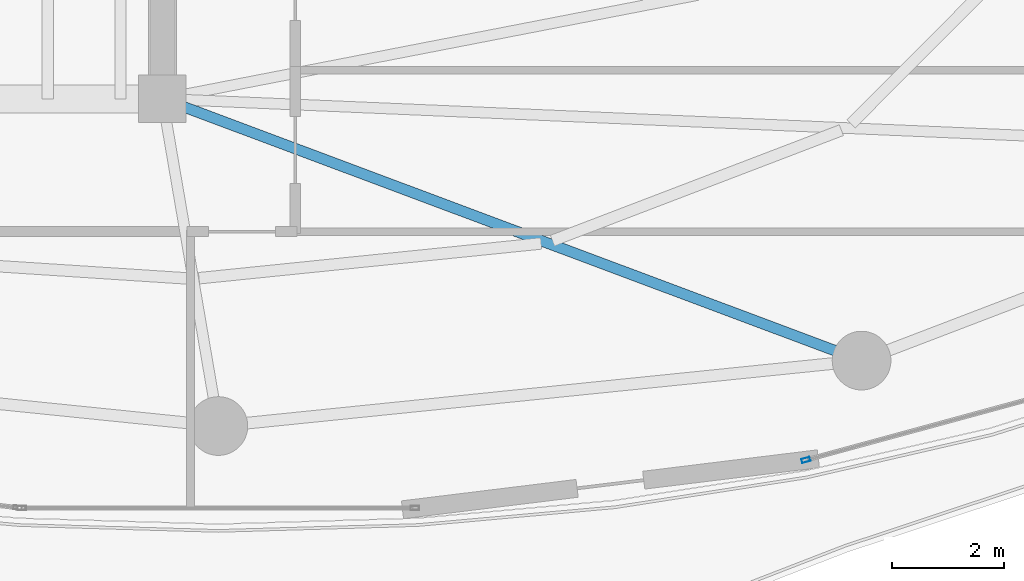
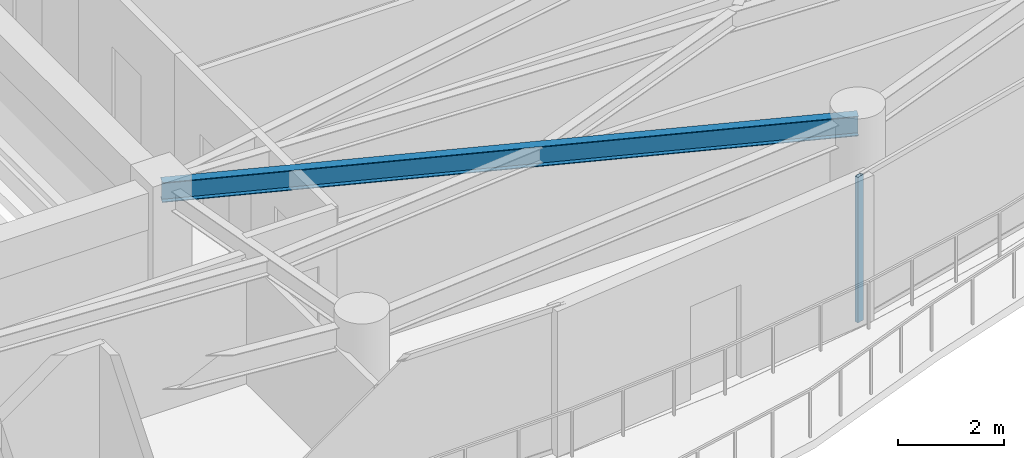
# One storey, part 11 of 31: 1 beam, 1 member, 1 element without a shape of its own.
"""IFC4 building model written with IfcOpenShell, lengths in metres."""

from ifc_helpers import new_model, si_unit, direction, frame, origin, origin_2d, place, context, subcontext, project, spatial, hollow_rectangle, i_section, extrude, material, layer, layer_set, material_profile, profile_set, type_object, element, aggregate, save


model = new_model("IFC4")

# Units and contexts
model_context = context("Model", 3, precision=1e-05, world=origin(), true_north=direction((0.0, 1.0)))
body_context = subcontext(model_context, "Body", "Model", "MODEL_VIEW")
ifc_project = project(units=[si_unit("LENGTHUNIT", "METRE"), si_unit("AREAUNIT", "SQUARE_METRE"), si_unit("VOLUMEUNIT", "CUBIC_METRE"), si_unit("PLANEANGLEUNIT", "RADIAN"), si_unit("MASSUNIT", "GRAM", prefix="KILO")], contexts=[model_context])

# Site, building, storey
site_placement = place(None, origin())
site = spatial("IfcSite", under=ifc_project, at=site_placement, CompositionType="ELEMENT")
building_placement = place(site_placement, origin())
building = spatial("IfcBuilding", under=site, at=building_placement, Name="Kazevale Care Tower and Concert Hall", CompositionType="ELEMENT")
storey_placement = place(building_placement, frame((0.0, 0.0, 238.800048828125)))
storey = spatial("IfcBuildingStorey", under=building, at=storey_placement, Name="L63", CompositionType="ELEMENT", Elevation=238.800048828125)

# Curtain wall, member
ifc_material_1 = material(Name="Aluminium 6063-T6 and Low-E Glass", Category="aluminium")
ifc_layer = layer(ifc_material_1, 0.179931640625)
ifc_layer_set = layer_set([ifc_layer], Name="Aluminium 6063-T6 and Low-E Glass")
curtain_wall_type = type_object("IfcCurtainWallType", Name="Sheltered Concave Balcony Curtain Wall CW-5", PredefinedType="NOTDEFINED", material=ifc_layer_set)
curtain_wall_placement = place(storey_placement, origin())
curtain_wall = element("IfcCurtainWall", 1, at=curtain_wall_placement, inside=storey, type_object=curtain_wall_type, Name="cw:L63:f04", PredefinedType="NOTDEFINED")
ifc_material_2 = material(Name="Aluminium 6063-T6", Category="aluminium")
ifc_material_profile_1 = material_profile(ifc_material_2, hollow_rectangle(XDim=0.074951171875, YDim=0.14990234375, WallThickness=0.00390625, at=origin_2d()), Name="ALU75x150x4")
ifc_profile_set_1 = profile_set([ifc_material_profile_1], Name="Aluminium 6063-T6")
member_type = type_object("IfcMemberType", Name="CW-5 Mullion ALU75x150x4", PredefinedType="MULLION", material=ifc_profile_set_1)
member_placement = place(storey_placement, frame((55.505126953125, 17.142822265625, 0.0), z_axis=(0.0, 0.0, 1.0), x_axis=(0.262848968947, -0.964836991167, 0.0)))
member = element("IfcMember", 2, at=member_placement, type_object=member_type, Name="CW-5 mullion 2", PredefinedType="MULLION", context=body_context, shape_type="SweptSolid", body=[
    extrude(hollow_rectangle(XDim=0.074951171875, YDim=0.14990234375, WallThickness=0.00390625, at=origin_2d()), origin(), (0.0, 0.0, 1.0), 3.35986328125),
])
aggregate(curtain_wall, [member])

# Beam
ifc_material_3 = material(Name="Steel ASTM A572 Gr 50", Category="steel")
ifc_material_profile_2 = material_profile(ifc_material_3, i_section(OverallWidth=0.19091796875, OverallDepth=0.4599609375, WebThickness=0.010009765625, FlangeThickness=0.01611328125, at=origin_2d()), Name="W460x82")
ifc_profile_set_2 = profile_set([ifc_material_profile_2], Name="Steel ASTM A572 Gr 50")
beam_type = type_object("IfcBeamType", Name="Radial Floor Beam W460x82", PredefinedType="BEAM", material=ifc_profile_set_2)
beam_placement = place(storey_placement, frame((44.0, 23.60009765625, 3.1298828125), z_axis=(0.936509460339, -0.350642311615, 0.0), x_axis=(0.350642311615, 0.936509460339, 0.0)))
element("IfcBeam", 3, at=beam_placement, inside=storey, type_object=beam_type, Name="beam:L63:rad:14", PredefinedType="BEAM", context=body_context, shape_type="SweptSolid", body=[
    extrude(i_section(OverallWidth=0.19091796875, OverallDepth=0.4599609375, WebThickness=0.010009765625, FlangeThickness=0.01611328125, at=origin_2d()), origin(), (0.0, 0.0, 1.0), 13.347412109375),
])

save(model, "model.ifc")
